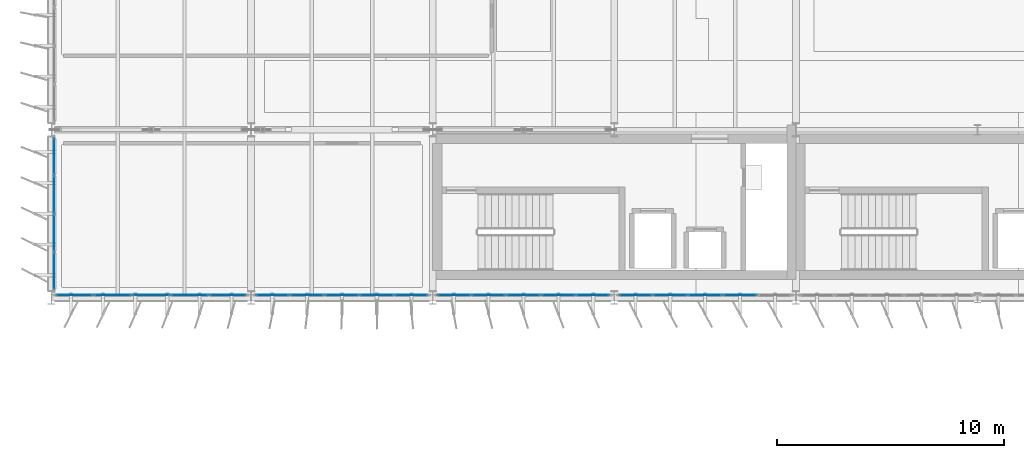
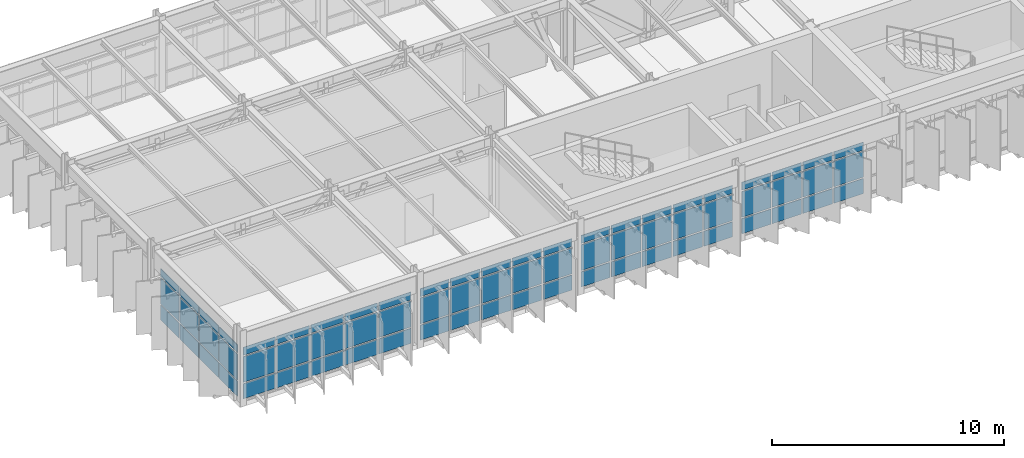
# One storey, part 27 of 56: 69 plates, 5 elements without a shape of their own.
"""IFC4 building model written with IfcOpenShell, lengths in metres."""

from ifc_helpers import new_model, si_unit, direction, frame, origin, origin_2d, place, context, subcontext, project, spatial, rectangle, extrude, material, layer, layer_set, type_object, element, aggregate, save


model = new_model("IFC4")

# Units and contexts
model_context = context("Model", 3, precision=1e-05, world=origin(), true_north=direction((0.0, 1.0)))
body_context = subcontext(model_context, "Body", "Model", "MODEL_VIEW")
ifc_project = project(units=[si_unit("LENGTHUNIT", "METRE"), si_unit("AREAUNIT", "SQUARE_METRE"), si_unit("VOLUMEUNIT", "CUBIC_METRE"), si_unit("PLANEANGLEUNIT", "RADIAN"), si_unit("MASSUNIT", "GRAM", prefix="KILO")], contexts=[model_context])

# Site, building, storey
site_placement = place(None, origin())
site = spatial("IfcSite", under=ifc_project, at=site_placement, CompositionType="ELEMENT")
building_placement = place(site_placement, origin())
building = spatial("IfcBuilding", under=site, at=building_placement, Name="Valkorina Park Police Headquarters", CompositionType="ELEMENT")
storey_placement = place(building_placement, frame((0.0, 0.0, 14.10009765625)))
storey = spatial("IfcBuildingStorey", under=building, at=storey_placement, Name="L04", CompositionType="ELEMENT", Elevation=14.10009765625)

# Curtain wall, plates
ifc_material_1 = material(Name="Thermally broken aluminium AW-6060", Category="aluminium")
ifc_layer_1 = layer(ifc_material_1, 0.18994140625)
ifc_layer_set_1 = layer_set([ifc_layer_1], Name="Thermally broken aluminium AW-6060")
curtain_wall_type_1 = type_object("IfcCurtainWallType", Name="CW-V5-7680x2840", PredefinedType="NOTDEFINED", material=ifc_layer_set_1)
curtain_wall_1_placement = place(storey_placement, origin())
curtain_wall_1 = element("IfcCurtainWall", 1, at=curtain_wall_1_placement, inside=storey, type_object=curtain_wall_type_1, Name="L04 Unitised Curtain Wall 054", PredefinedType="NOTDEFINED")
ifc_layer_2 = layer(ifc_material_1, 0.050048828125)
ifc_layer_set_2 = layer_set([ifc_layer_2], Name="Thermally broken aluminium AW-6060")
plate_type_1 = type_object("IfcPlateType", Name="PL-CWP-SPANDREL-50", PredefinedType="CURTAIN_PANEL", material=ifc_layer_set_2)
plate_1_placement = place(storey_placement, frame((30.3359375, 37.1201171875, 0.06982421875), z_axis=(0.0, 0.0, 1.0), x_axis=(-1.0, 0.0, 0.0)))
plate_1 = element("IfcPlate", 2, at=plate_1_placement, type_object=plate_type_1, Name="CW-V5-768-284 panel 2.1", PredefinedType="CURTAIN_PANEL", context=body_context, shape_type="SweptSolid", body=[
    extrude(rectangle(XDim=1.466064453125, YDim=0.028076171875, at=origin_2d()), origin(), (0.0, 0.0, 1.0), 0.794921875),
])
plate_2_placement = place(storey_placement, frame((28.800048828125, 37.1201171875, 0.06982421875), z_axis=(0.0, 0.0, 1.0), x_axis=(-1.0, 0.0, 0.0)))
plate_2 = element("IfcPlate", 3, at=plate_2_placement, type_object=plate_type_1, Name="CW-V5-768-284 panel 3.1", PredefinedType="CURTAIN_PANEL", context=body_context, shape_type="SweptSolid", body=[
    extrude(rectangle(XDim=1.466064453125, YDim=0.028076171875, at=origin_2d()), origin(), (0.0, 0.0, 1.0), 0.794921875),
])
plate_3_placement = place(storey_placement, frame((27.263916015625, 37.1201171875, 0.06982421875), z_axis=(0.0, 0.0, 1.0), x_axis=(-1.0, 0.0, 0.0)))
plate_3 = element("IfcPlate", 4, at=plate_3_placement, type_object=plate_type_1, Name="CW-V5-768-284 panel 4.1", PredefinedType="CURTAIN_PANEL", context=body_context, shape_type="SweptSolid", body=[
    extrude(rectangle(XDim=1.466064453125, YDim=0.028076171875, at=origin_2d()), origin(), (0.0, 0.0, 1.0), 0.794921875),
])
plate_4_placement = place(storey_placement, frame((25.74560546875, 37.1201171875, 0.06982421875), z_axis=(0.0, 0.0, 1.0), x_axis=(-1.0, 0.0, 0.0)))
plate_4 = element("IfcPlate", 5, at=plate_4_placement, type_object=plate_type_1, Name="CW-V5-768-284 panel 5.1", PredefinedType="CURTAIN_PANEL", context=body_context, shape_type="SweptSolid", body=[
    extrude(rectangle(XDim=1.430908203125, YDim=0.028076171875, at=origin_2d()), origin(), (0.0, 0.0, 1.0), 0.794921875),
])

curtain_wall_2_placement = place(storey_placement, origin())
curtain_wall_2 = element("IfcCurtainWall", 6, at=curtain_wall_2_placement, inside=storey, type_object=curtain_wall_type_1, Name="L04 Unitised Curtain Wall 055", PredefinedType="NOTDEFINED")
plate_5_placement = place(storey_placement, frame((23.8544921875, 37.1201171875, 0.06982421875), z_axis=(0.0, 0.0, 1.0), x_axis=(-1.0, 0.0, 0.0)))
plate_5 = element("IfcPlate", 7, at=plate_5_placement, type_object=plate_type_1, Name="CW-V5-768-284 panel 1.1", PredefinedType="CURTAIN_PANEL", context=body_context, shape_type="SweptSolid", body=[
    extrude(rectangle(XDim=1.430908203125, YDim=0.028076171875, at=origin_2d()), origin(), (0.0, 0.0, 1.0), 0.794921875),
])
plate_6_placement = place(storey_placement, frame((22.3359375, 37.1201171875, 0.06982421875), z_axis=(0.0, 0.0, 1.0), x_axis=(-1.0, 0.0, 0.0)))
plate_6 = element("IfcPlate", 8, at=plate_6_placement, type_object=plate_type_1, Name="CW-V5-768-284 panel 2.1", PredefinedType="CURTAIN_PANEL", context=body_context, shape_type="SweptSolid", body=[
    extrude(rectangle(XDim=1.466064453125, YDim=0.028076171875, at=origin_2d()), origin(), (0.0, 0.0, 1.0), 0.794921875),
])
plate_7_placement = place(storey_placement, frame((20.800048828125, 37.1201171875, 0.06982421875), z_axis=(0.0, 0.0, 1.0), x_axis=(-1.0, 0.0, 0.0)))
plate_7 = element("IfcPlate", 9, at=plate_7_placement, type_object=plate_type_1, Name="CW-V5-768-284 panel 3.1", PredefinedType="CURTAIN_PANEL", context=body_context, shape_type="SweptSolid", body=[
    extrude(rectangle(XDim=1.466064453125, YDim=0.028076171875, at=origin_2d()), origin(), (0.0, 0.0, 1.0), 0.794921875),
])
plate_8_placement = place(storey_placement, frame((19.263916015625, 37.1201171875, 0.06982421875), z_axis=(0.0, 0.0, 1.0), x_axis=(-1.0, 0.0, 0.0)))
plate_8 = element("IfcPlate", 10, at=plate_8_placement, type_object=plate_type_1, Name="CW-V5-768-284 panel 4.1", PredefinedType="CURTAIN_PANEL", context=body_context, shape_type="SweptSolid", body=[
    extrude(rectangle(XDim=1.466064453125, YDim=0.028076171875, at=origin_2d()), origin(), (0.0, 0.0, 1.0), 0.794921875),
])
plate_9_placement = place(storey_placement, frame((17.74560546875, 37.1201171875, 0.06982421875), z_axis=(0.0, 0.0, 1.0), x_axis=(-1.0, 0.0, 0.0)))
plate_9 = element("IfcPlate", 11, at=plate_9_placement, type_object=plate_type_1, Name="CW-V5-768-284 panel 5.1", PredefinedType="CURTAIN_PANEL", context=body_context, shape_type="SweptSolid", body=[
    extrude(rectangle(XDim=1.430908203125, YDim=0.028076171875, at=origin_2d()), origin(), (0.0, 0.0, 1.0), 0.794921875),
])

curtain_wall_3_placement = place(storey_placement, origin())
curtain_wall_3 = element("IfcCurtainWall", 12, at=curtain_wall_3_placement, inside=storey, type_object=curtain_wall_type_1, Name="L04 Unitised Curtain Wall 056", PredefinedType="NOTDEFINED")
plate_10_placement = place(storey_placement, frame((15.8544921875, 37.1201171875, 0.06982421875), z_axis=(0.0, 0.0, 1.0), x_axis=(-1.0, 0.0, 0.0)))
plate_10 = element("IfcPlate", 13, at=plate_10_placement, type_object=plate_type_1, Name="CW-V5-768-284 panel 1.1", PredefinedType="CURTAIN_PANEL", context=body_context, shape_type="SweptSolid", body=[
    extrude(rectangle(XDim=1.430908203125, YDim=0.028076171875, at=origin_2d()), origin(), (0.0, 0.0, 1.0), 0.794921875),
])
plate_11_placement = place(storey_placement, frame((14.3359375, 37.1201171875, 0.06982421875), z_axis=(0.0, 0.0, 1.0), x_axis=(-1.0, 0.0, 0.0)))
plate_11 = element("IfcPlate", 14, at=plate_11_placement, type_object=plate_type_1, Name="CW-V5-768-284 panel 2.1", PredefinedType="CURTAIN_PANEL", context=body_context, shape_type="SweptSolid", body=[
    extrude(rectangle(XDim=1.466064453125, YDim=0.028076171875, at=origin_2d()), origin(), (0.0, 0.0, 1.0), 0.794921875),
])
plate_12_placement = place(storey_placement, frame((12.800048828125, 37.1201171875, 0.06982421875), z_axis=(0.0, 0.0, 1.0), x_axis=(-1.0, 0.0, 0.0)))
plate_12 = element("IfcPlate", 15, at=plate_12_placement, type_object=plate_type_1, Name="CW-V5-768-284 panel 3.1", PredefinedType="CURTAIN_PANEL", context=body_context, shape_type="SweptSolid", body=[
    extrude(rectangle(XDim=1.466064453125, YDim=0.028076171875, at=origin_2d()), origin(), (0.0, 0.0, 1.0), 0.794921875),
])
plate_13_placement = place(storey_placement, frame((11.263916015625, 37.1201171875, 0.06982421875), z_axis=(0.0, 0.0, 1.0), x_axis=(-1.0, 0.0, 0.0)))
plate_13 = element("IfcPlate", 16, at=plate_13_placement, type_object=plate_type_1, Name="CW-V5-768-284 panel 4.1", PredefinedType="CURTAIN_PANEL", context=body_context, shape_type="SweptSolid", body=[
    extrude(rectangle(XDim=1.466064453125, YDim=0.028076171875, at=origin_2d()), origin(), (0.0, 0.0, 1.0), 0.794921875),
])
plate_14_placement = place(storey_placement, frame((9.74560546875, 37.1201171875, 0.06982421875), z_axis=(0.0, 0.0, 1.0), x_axis=(-1.0, 0.0, 0.0)))
plate_14 = element("IfcPlate", 17, at=plate_14_placement, type_object=plate_type_1, Name="CW-V5-768-284 panel 5.1", PredefinedType="CURTAIN_PANEL", context=body_context, shape_type="SweptSolid", body=[
    extrude(rectangle(XDim=1.430908203125, YDim=0.028076171875, at=origin_2d()), origin(), (0.0, 0.0, 1.0), 0.794921875),
])

ifc_layer_3 = layer(ifc_material_1, 0.18994140625)
ifc_layer_set_3 = layer_set([ifc_layer_3], Name="Thermally broken aluminium AW-6060")
curtain_wall_type_2 = type_object("IfcCurtainWallType", Name="CW-V5-8480x2840", PredefinedType="NOTDEFINED", material=ifc_layer_set_3)
curtain_wall_4_placement = place(storey_placement, origin())
curtain_wall_4 = element("IfcCurtainWall", 18, at=curtain_wall_4_placement, inside=storey, type_object=curtain_wall_type_2, Name="L04 Unitised Curtain Wall 057", PredefinedType="NOTDEFINED")
plate_15_placement = place(storey_placement, frame((7.7744140625, 37.1201171875, 0.06982421875), z_axis=(0.0, 0.0, 1.0), x_axis=(-1.0, 0.0, 0.0)))
plate_15 = element("IfcPlate", 19, at=plate_15_placement, type_object=plate_type_1, Name="CW-V5-848-284 panel 1.1", PredefinedType="CURTAIN_PANEL", context=body_context, shape_type="SweptSolid", body=[
    extrude(rectangle(XDim=1.591064453125, YDim=0.028076171875, at=origin_2d()), origin(), (0.0, 0.0, 1.0), 0.794921875),
])
plate_16_placement = place(storey_placement, frame((6.095947265625, 37.1201171875, 0.06982421875), z_axis=(0.0, 0.0, 1.0), x_axis=(-1.0, 0.0, 0.0)))
plate_16 = element("IfcPlate", 20, at=plate_16_placement, type_object=plate_type_1, Name="CW-V5-848-284 panel 2.1", PredefinedType="CURTAIN_PANEL", context=body_context, shape_type="SweptSolid", body=[
    extrude(rectangle(XDim=1.6259765625, YDim=0.028076171875, at=origin_2d()), origin(), (0.0, 0.0, 1.0), 0.794921875),
])
plate_17_placement = place(storey_placement, frame((4.39990234375, 37.1201171875, 0.06982421875), z_axis=(0.0, 0.0, 1.0), x_axis=(-1.0, 0.0, 0.0)))
plate_17 = element("IfcPlate", 21, at=plate_17_placement, type_object=plate_type_1, Name="CW-V5-848-284 panel 3.1", PredefinedType="CURTAIN_PANEL", context=body_context, shape_type="SweptSolid", body=[
    extrude(rectangle(XDim=1.6259765625, YDim=0.028076171875, at=origin_2d()), origin(), (0.0, 0.0, 1.0), 0.794921875),
])
plate_18_placement = place(storey_placement, frame((2.7041015625, 37.1201171875, 0.06982421875), z_axis=(0.0, 0.0, 1.0), x_axis=(-1.0, 0.0, 0.0)))
plate_18 = element("IfcPlate", 22, at=plate_18_placement, type_object=plate_type_1, Name="CW-V5-848-284 panel 4.1", PredefinedType="CURTAIN_PANEL", context=body_context, shape_type="SweptSolid", body=[
    extrude(rectangle(XDim=1.6259765625, YDim=0.028076171875, at=origin_2d()), origin(), (0.0, 0.0, 1.0), 0.794921875),
])
plate_19_placement = place(storey_placement, frame((1.025390625, 37.1201171875, 0.06982421875), z_axis=(0.0, 0.0, 1.0), x_axis=(-1.0, 0.0, 0.0)))
plate_19 = element("IfcPlate", 23, at=plate_19_placement, type_object=plate_type_1, Name="CW-V5-848-284 panel 5.1", PredefinedType="CURTAIN_PANEL", context=body_context, shape_type="SweptSolid", body=[
    extrude(rectangle(XDim=1.591064453125, YDim=0.028076171875, at=origin_2d()), origin(), (0.0, 0.0, 1.0), 0.794921875),
])

ifc_layer_4 = layer(ifc_material_1, 0.18994140625)
ifc_layer_set_4 = layer_set([ifc_layer_4], Name="Thermally broken aluminium AW-6060")
curtain_wall_type_3 = type_object("IfcCurtainWallType", Name="CW-V5-6780x2840", PredefinedType="NOTDEFINED", material=ifc_layer_set_4)
curtain_wall_5_placement = place(storey_placement, origin())
curtain_wall_5 = element("IfcCurtainWall", 24, at=curtain_wall_5_placement, inside=storey, type_object=curtain_wall_type_3, Name="L04 Unitised Curtain Wall 058", PredefinedType="NOTDEFINED")
plate_20_placement = place(storey_placement, frame((0.1201171875, 38.175048828125, 0.06982421875), z_axis=(0.0, 0.0, 1.0), x_axis=(0.0, 1.0, 0.0)))
plate_20 = element("IfcPlate", 25, at=plate_20_placement, type_object=plate_type_1, Name="CW-V5-678-284 panel 1.1", PredefinedType="CURTAIN_PANEL", context=body_context, shape_type="SweptSolid", body=[
    extrude(rectangle(XDim=1.590087890625, YDim=0.028076171875, at=origin_2d()), origin(), (0.0, 0.0, 1.0), 0.794921875),
])
plate_21_placement = place(storey_placement, frame((0.1201171875, 39.8525390625, 0.06982421875), z_axis=(0.0, 0.0, 1.0), x_axis=(0.0, 1.0, 0.0)))
plate_21 = element("IfcPlate", 26, at=plate_21_placement, type_object=plate_type_1, Name="CW-V5-678-284 panel 2.1", PredefinedType="CURTAIN_PANEL", context=body_context, shape_type="SweptSolid", body=[
    extrude(rectangle(XDim=1.625, YDim=0.028076171875, at=origin_2d()), origin(), (0.0, 0.0, 1.0), 0.794921875),
])
plate_22_placement = place(storey_placement, frame((0.1201171875, 41.547607421875, 0.06982421875), z_axis=(0.0, 0.0, 1.0), x_axis=(0.0, 1.0, 0.0)))
plate_22 = element("IfcPlate", 27, at=plate_22_placement, type_object=plate_type_1, Name="CW-V5-678-284 panel 3.1", PredefinedType="CURTAIN_PANEL", context=body_context, shape_type="SweptSolid", body=[
    extrude(rectangle(XDim=1.625, YDim=0.028076171875, at=origin_2d()), origin(), (0.0, 0.0, 1.0), 0.794921875),
])
plate_23_placement = place(storey_placement, frame((0.1201171875, 43.22509765625, 0.06982421875), z_axis=(0.0, 0.0, 1.0), x_axis=(0.0, 1.0, 0.0)))
plate_23 = element("IfcPlate", 28, at=plate_23_placement, type_object=plate_type_1, Name="CW-V5-678-284 panel 4.1", PredefinedType="CURTAIN_PANEL", context=body_context, shape_type="SweptSolid", body=[
    extrude(rectangle(XDim=1.590087890625, YDim=0.028076171875, at=origin_2d()), origin(), (0.0, 0.0, 1.0), 0.794921875),
])

# Plate
ifc_material_2 = material(Name="Triple low-E insulated glazing", Category="glass")
ifc_layer_5 = layer(ifc_material_2, 0.028076171875)
ifc_layer_set_5 = layer_set([ifc_layer_5], Name="Triple low-E insulated glazing")
plate_type_2 = type_object("IfcPlateType", Name="PL-CWP-VISION-28", PredefinedType="CURTAIN_PANEL", material=ifc_layer_set_5)
plate_24_placement = place(storey_placement, frame((30.3359375, 37.1201171875, 0.934814453125), z_axis=(0.0, 0.0, 1.0), x_axis=(-1.0, 0.0, 0.0)))
plate_24 = element("IfcPlate", 29, at=plate_24_placement, type_object=plate_type_2, Name="CW-V5-768-284 panel 2.2", PredefinedType="CURTAIN_PANEL", context=body_context, shape_type="SweptSolid", body=[
    extrude(rectangle(XDim=1.466064453125, YDim=0.028076171875, at=origin_2d()), origin(), (0.0, 0.0, 1.0), 1.35498046875),
])

plate_25_placement = place(storey_placement, frame((30.3359375, 37.1201171875, 2.35986328125), z_axis=(0.0, 0.0, 1.0), x_axis=(-1.0, 0.0, 0.0)))
plate_25 = element("IfcPlate", 30, at=plate_25_placement, type_object=plate_type_2, Name="CW-V5-768-284 panel 2.3", PredefinedType="CURTAIN_PANEL", context=body_context, shape_type="SweptSolid", body=[
    extrude(rectangle(XDim=1.466064453125, YDim=0.028076171875, at=origin_2d()), origin(), (0.0, 0.0, 1.0), 0.4150390625),
])

plate_26_placement = place(storey_placement, frame((28.800048828125, 37.1201171875, 0.934814453125), z_axis=(0.0, 0.0, 1.0), x_axis=(-1.0, 0.0, 0.0)))
plate_26 = element("IfcPlate", 31, at=plate_26_placement, type_object=plate_type_2, Name="CW-V5-768-284 panel 3.2", PredefinedType="CURTAIN_PANEL", context=body_context, shape_type="SweptSolid", body=[
    extrude(rectangle(XDim=1.466064453125, YDim=0.028076171875, at=origin_2d()), origin(), (0.0, 0.0, 1.0), 1.35498046875),
])

plate_27_placement = place(storey_placement, frame((28.800048828125, 37.1201171875, 2.35986328125), z_axis=(0.0, 0.0, 1.0), x_axis=(-1.0, 0.0, 0.0)))
plate_27 = element("IfcPlate", 32, at=plate_27_placement, type_object=plate_type_2, Name="CW-V5-768-284 panel 3.3", PredefinedType="CURTAIN_PANEL", context=body_context, shape_type="SweptSolid", body=[
    extrude(rectangle(XDim=1.466064453125, YDim=0.028076171875, at=origin_2d()), origin(), (0.0, 0.0, 1.0), 0.4150390625),
])

plate_28_placement = place(storey_placement, frame((27.263916015625, 37.1201171875, 0.934814453125), z_axis=(0.0, 0.0, 1.0), x_axis=(-1.0, 0.0, 0.0)))
plate_28 = element("IfcPlate", 33, at=plate_28_placement, type_object=plate_type_2, Name="CW-V5-768-284 panel 4.2", PredefinedType="CURTAIN_PANEL", context=body_context, shape_type="SweptSolid", body=[
    extrude(rectangle(XDim=1.466064453125, YDim=0.028076171875, at=origin_2d()), origin(), (0.0, 0.0, 1.0), 1.35498046875),
])

plate_29_placement = place(storey_placement, frame((27.263916015625, 37.1201171875, 2.35986328125), z_axis=(0.0, 0.0, 1.0), x_axis=(-1.0, 0.0, 0.0)))
plate_29 = element("IfcPlate", 34, at=plate_29_placement, type_object=plate_type_2, Name="CW-V5-768-284 panel 4.3", PredefinedType="CURTAIN_PANEL", context=body_context, shape_type="SweptSolid", body=[
    extrude(rectangle(XDim=1.466064453125, YDim=0.028076171875, at=origin_2d()), origin(), (0.0, 0.0, 1.0), 0.4150390625),
])

plate_30_placement = place(storey_placement, frame((25.74560546875, 37.1201171875, 0.934814453125), z_axis=(0.0, 0.0, 1.0), x_axis=(-1.0, 0.0, 0.0)))
plate_30 = element("IfcPlate", 35, at=plate_30_placement, type_object=plate_type_2, Name="CW-V5-768-284 panel 5.2", PredefinedType="CURTAIN_PANEL", context=body_context, shape_type="SweptSolid", body=[
    extrude(rectangle(XDim=1.430908203125, YDim=0.028076171875, at=origin_2d()), origin(), (0.0, 0.0, 1.0), 1.35498046875),
])

plate_31_placement = place(storey_placement, frame((25.74560546875, 37.1201171875, 2.35986328125), z_axis=(0.0, 0.0, 1.0), x_axis=(-1.0, 0.0, 0.0)))
plate_31 = element("IfcPlate", 36, at=plate_31_placement, type_object=plate_type_2, Name="CW-V5-768-284 panel 5.3", PredefinedType="CURTAIN_PANEL", context=body_context, shape_type="SweptSolid", body=[
    extrude(rectangle(XDim=1.430908203125, YDim=0.028076171875, at=origin_2d()), origin(), (0.0, 0.0, 1.0), 0.4150390625),
])

aggregate(curtain_wall_1, [plate_1, plate_24, plate_25, plate_2, plate_26, plate_27, plate_3, plate_28, plate_29, plate_4, plate_30, plate_31])

plate_32_placement = place(storey_placement, frame((23.8544921875, 37.1201171875, 0.934814453125), z_axis=(0.0, 0.0, 1.0), x_axis=(-1.0, 0.0, 0.0)))
plate_32 = element("IfcPlate", 37, at=plate_32_placement, type_object=plate_type_2, Name="CW-V5-768-284 panel 1.2", PredefinedType="CURTAIN_PANEL", context=body_context, shape_type="SweptSolid", body=[
    extrude(rectangle(XDim=1.430908203125, YDim=0.028076171875, at=origin_2d()), origin(), (0.0, 0.0, 1.0), 1.35498046875),
])

plate_33_placement = place(storey_placement, frame((23.8544921875, 37.1201171875, 2.35986328125), z_axis=(0.0, 0.0, 1.0), x_axis=(-1.0, 0.0, 0.0)))
plate_33 = element("IfcPlate", 38, at=plate_33_placement, type_object=plate_type_2, Name="CW-V5-768-284 panel 1.3", PredefinedType="CURTAIN_PANEL", context=body_context, shape_type="SweptSolid", body=[
    extrude(rectangle(XDim=1.430908203125, YDim=0.028076171875, at=origin_2d()), origin(), (0.0, 0.0, 1.0), 0.4150390625),
])

plate_34_placement = place(storey_placement, frame((22.3359375, 37.1201171875, 0.934814453125), z_axis=(0.0, 0.0, 1.0), x_axis=(-1.0, 0.0, 0.0)))
plate_34 = element("IfcPlate", 39, at=plate_34_placement, type_object=plate_type_2, Name="CW-V5-768-284 panel 2.2", PredefinedType="CURTAIN_PANEL", context=body_context, shape_type="SweptSolid", body=[
    extrude(rectangle(XDim=1.466064453125, YDim=0.028076171875, at=origin_2d()), origin(), (0.0, 0.0, 1.0), 1.35498046875),
])

plate_35_placement = place(storey_placement, frame((22.3359375, 37.1201171875, 2.35986328125), z_axis=(0.0, 0.0, 1.0), x_axis=(-1.0, 0.0, 0.0)))
plate_35 = element("IfcPlate", 40, at=plate_35_placement, type_object=plate_type_2, Name="CW-V5-768-284 panel 2.3", PredefinedType="CURTAIN_PANEL", context=body_context, shape_type="SweptSolid", body=[
    extrude(rectangle(XDim=1.466064453125, YDim=0.028076171875, at=origin_2d()), origin(), (0.0, 0.0, 1.0), 0.4150390625),
])

plate_36_placement = place(storey_placement, frame((20.800048828125, 37.1201171875, 0.934814453125), z_axis=(0.0, 0.0, 1.0), x_axis=(-1.0, 0.0, 0.0)))
plate_36 = element("IfcPlate", 41, at=plate_36_placement, type_object=plate_type_2, Name="CW-V5-768-284 panel 3.2", PredefinedType="CURTAIN_PANEL", context=body_context, shape_type="SweptSolid", body=[
    extrude(rectangle(XDim=1.466064453125, YDim=0.028076171875, at=origin_2d()), origin(), (0.0, 0.0, 1.0), 1.35498046875),
])

plate_37_placement = place(storey_placement, frame((20.800048828125, 37.1201171875, 2.35986328125), z_axis=(0.0, 0.0, 1.0), x_axis=(-1.0, 0.0, 0.0)))
plate_37 = element("IfcPlate", 42, at=plate_37_placement, type_object=plate_type_2, Name="CW-V5-768-284 panel 3.3", PredefinedType="CURTAIN_PANEL", context=body_context, shape_type="SweptSolid", body=[
    extrude(rectangle(XDim=1.466064453125, YDim=0.028076171875, at=origin_2d()), origin(), (0.0, 0.0, 1.0), 0.4150390625),
])

plate_38_placement = place(storey_placement, frame((19.263916015625, 37.1201171875, 0.934814453125), z_axis=(0.0, 0.0, 1.0), x_axis=(-1.0, 0.0, 0.0)))
plate_38 = element("IfcPlate", 43, at=plate_38_placement, type_object=plate_type_2, Name="CW-V5-768-284 panel 4.2", PredefinedType="CURTAIN_PANEL", context=body_context, shape_type="SweptSolid", body=[
    extrude(rectangle(XDim=1.466064453125, YDim=0.028076171875, at=origin_2d()), origin(), (0.0, 0.0, 1.0), 1.35498046875),
])

plate_39_placement = place(storey_placement, frame((19.263916015625, 37.1201171875, 2.35986328125), z_axis=(0.0, 0.0, 1.0), x_axis=(-1.0, 0.0, 0.0)))
plate_39 = element("IfcPlate", 44, at=plate_39_placement, type_object=plate_type_2, Name="CW-V5-768-284 panel 4.3", PredefinedType="CURTAIN_PANEL", context=body_context, shape_type="SweptSolid", body=[
    extrude(rectangle(XDim=1.466064453125, YDim=0.028076171875, at=origin_2d()), origin(), (0.0, 0.0, 1.0), 0.4150390625),
])

plate_40_placement = place(storey_placement, frame((17.74560546875, 37.1201171875, 0.934814453125), z_axis=(0.0, 0.0, 1.0), x_axis=(-1.0, 0.0, 0.0)))
plate_40 = element("IfcPlate", 45, at=plate_40_placement, type_object=plate_type_2, Name="CW-V5-768-284 panel 5.2", PredefinedType="CURTAIN_PANEL", context=body_context, shape_type="SweptSolid", body=[
    extrude(rectangle(XDim=1.430908203125, YDim=0.028076171875, at=origin_2d()), origin(), (0.0, 0.0, 1.0), 1.35498046875),
])

plate_41_placement = place(storey_placement, frame((17.74560546875, 37.1201171875, 2.35986328125), z_axis=(0.0, 0.0, 1.0), x_axis=(-1.0, 0.0, 0.0)))
plate_41 = element("IfcPlate", 46, at=plate_41_placement, type_object=plate_type_2, Name="CW-V5-768-284 panel 5.3", PredefinedType="CURTAIN_PANEL", context=body_context, shape_type="SweptSolid", body=[
    extrude(rectangle(XDim=1.430908203125, YDim=0.028076171875, at=origin_2d()), origin(), (0.0, 0.0, 1.0), 0.4150390625),
])

aggregate(curtain_wall_2, [plate_5, plate_32, plate_33, plate_6, plate_34, plate_35, plate_7, plate_36, plate_37, plate_8, plate_38, plate_39, plate_9, plate_40, plate_41])

plate_42_placement = place(storey_placement, frame((15.8544921875, 37.1201171875, 0.934814453125), z_axis=(0.0, 0.0, 1.0), x_axis=(-1.0, 0.0, 0.0)))
plate_42 = element("IfcPlate", 47, at=plate_42_placement, type_object=plate_type_2, Name="CW-V5-768-284 panel 1.2", PredefinedType="CURTAIN_PANEL", context=body_context, shape_type="SweptSolid", body=[
    extrude(rectangle(XDim=1.430908203125, YDim=0.028076171875, at=origin_2d()), origin(), (0.0, 0.0, 1.0), 1.35498046875),
])

plate_43_placement = place(storey_placement, frame((15.8544921875, 37.1201171875, 2.35986328125), z_axis=(0.0, 0.0, 1.0), x_axis=(-1.0, 0.0, 0.0)))
plate_43 = element("IfcPlate", 48, at=plate_43_placement, type_object=plate_type_2, Name="CW-V5-768-284 panel 1.3", PredefinedType="CURTAIN_PANEL", context=body_context, shape_type="SweptSolid", body=[
    extrude(rectangle(XDim=1.430908203125, YDim=0.028076171875, at=origin_2d()), origin(), (0.0, 0.0, 1.0), 0.4150390625),
])

plate_44_placement = place(storey_placement, frame((14.3359375, 37.1201171875, 0.934814453125), z_axis=(0.0, 0.0, 1.0), x_axis=(-1.0, 0.0, 0.0)))
plate_44 = element("IfcPlate", 49, at=plate_44_placement, type_object=plate_type_2, Name="CW-V5-768-284 panel 2.2", PredefinedType="CURTAIN_PANEL", context=body_context, shape_type="SweptSolid", body=[
    extrude(rectangle(XDim=1.466064453125, YDim=0.028076171875, at=origin_2d()), origin(), (0.0, 0.0, 1.0), 1.35498046875),
])

plate_45_placement = place(storey_placement, frame((14.3359375, 37.1201171875, 2.35986328125), z_axis=(0.0, 0.0, 1.0), x_axis=(-1.0, 0.0, 0.0)))
plate_45 = element("IfcPlate", 50, at=plate_45_placement, type_object=plate_type_2, Name="CW-V5-768-284 panel 2.3", PredefinedType="CURTAIN_PANEL", context=body_context, shape_type="SweptSolid", body=[
    extrude(rectangle(XDim=1.466064453125, YDim=0.028076171875, at=origin_2d()), origin(), (0.0, 0.0, 1.0), 0.4150390625),
])

plate_46_placement = place(storey_placement, frame((12.800048828125, 37.1201171875, 0.934814453125), z_axis=(0.0, 0.0, 1.0), x_axis=(-1.0, 0.0, 0.0)))
plate_46 = element("IfcPlate", 51, at=plate_46_placement, type_object=plate_type_2, Name="CW-V5-768-284 panel 3.2", PredefinedType="CURTAIN_PANEL", context=body_context, shape_type="SweptSolid", body=[
    extrude(rectangle(XDim=1.466064453125, YDim=0.028076171875, at=origin_2d()), origin(), (0.0, 0.0, 1.0), 1.35498046875),
])

plate_47_placement = place(storey_placement, frame((12.800048828125, 37.1201171875, 2.35986328125), z_axis=(0.0, 0.0, 1.0), x_axis=(-1.0, 0.0, 0.0)))
plate_47 = element("IfcPlate", 52, at=plate_47_placement, type_object=plate_type_2, Name="CW-V5-768-284 panel 3.3", PredefinedType="CURTAIN_PANEL", context=body_context, shape_type="SweptSolid", body=[
    extrude(rectangle(XDim=1.466064453125, YDim=0.028076171875, at=origin_2d()), origin(), (0.0, 0.0, 1.0), 0.4150390625),
])

plate_48_placement = place(storey_placement, frame((11.263916015625, 37.1201171875, 0.934814453125), z_axis=(0.0, 0.0, 1.0), x_axis=(-1.0, 0.0, 0.0)))
plate_48 = element("IfcPlate", 53, at=plate_48_placement, type_object=plate_type_2, Name="CW-V5-768-284 panel 4.2", PredefinedType="CURTAIN_PANEL", context=body_context, shape_type="SweptSolid", body=[
    extrude(rectangle(XDim=1.466064453125, YDim=0.028076171875, at=origin_2d()), origin(), (0.0, 0.0, 1.0), 1.35498046875),
])

plate_49_placement = place(storey_placement, frame((11.263916015625, 37.1201171875, 2.35986328125), z_axis=(0.0, 0.0, 1.0), x_axis=(-1.0, 0.0, 0.0)))
plate_49 = element("IfcPlate", 54, at=plate_49_placement, type_object=plate_type_2, Name="CW-V5-768-284 panel 4.3", PredefinedType="CURTAIN_PANEL", context=body_context, shape_type="SweptSolid", body=[
    extrude(rectangle(XDim=1.466064453125, YDim=0.028076171875, at=origin_2d()), origin(), (0.0, 0.0, 1.0), 0.4150390625),
])

plate_50_placement = place(storey_placement, frame((9.74560546875, 37.1201171875, 0.934814453125), z_axis=(0.0, 0.0, 1.0), x_axis=(-1.0, 0.0, 0.0)))
plate_50 = element("IfcPlate", 55, at=plate_50_placement, type_object=plate_type_2, Name="CW-V5-768-284 panel 5.2", PredefinedType="CURTAIN_PANEL", context=body_context, shape_type="SweptSolid", body=[
    extrude(rectangle(XDim=1.430908203125, YDim=0.028076171875, at=origin_2d()), origin(), (0.0, 0.0, 1.0), 1.35498046875),
])

plate_51_placement = place(storey_placement, frame((9.74560546875, 37.1201171875, 2.35986328125), z_axis=(0.0, 0.0, 1.0), x_axis=(-1.0, 0.0, 0.0)))
plate_51 = element("IfcPlate", 56, at=plate_51_placement, type_object=plate_type_2, Name="CW-V5-768-284 panel 5.3", PredefinedType="CURTAIN_PANEL", context=body_context, shape_type="SweptSolid", body=[
    extrude(rectangle(XDim=1.430908203125, YDim=0.028076171875, at=origin_2d()), origin(), (0.0, 0.0, 1.0), 0.4150390625),
])

aggregate(curtain_wall_3, [plate_10, plate_42, plate_43, plate_11, plate_44, plate_45, plate_12, plate_46, plate_47, plate_13, plate_48, plate_49, plate_14, plate_50, plate_51])

plate_52_placement = place(storey_placement, frame((7.7744140625, 37.1201171875, 0.934814453125), z_axis=(0.0, 0.0, 1.0), x_axis=(-1.0, 0.0, 0.0)))
plate_52 = element("IfcPlate", 57, at=plate_52_placement, type_object=plate_type_2, Name="CW-V5-848-284 panel 1.2", PredefinedType="CURTAIN_PANEL", context=body_context, shape_type="SweptSolid", body=[
    extrude(rectangle(XDim=1.591064453125, YDim=0.028076171875, at=origin_2d()), origin(), (0.0, 0.0, 1.0), 1.35498046875),
])

plate_53_placement = place(storey_placement, frame((7.7744140625, 37.1201171875, 2.35986328125), z_axis=(0.0, 0.0, 1.0), x_axis=(-1.0, 0.0, 0.0)))
plate_53 = element("IfcPlate", 58, at=plate_53_placement, type_object=plate_type_2, Name="CW-V5-848-284 panel 1.3", PredefinedType="CURTAIN_PANEL", context=body_context, shape_type="SweptSolid", body=[
    extrude(rectangle(XDim=1.591064453125, YDim=0.028076171875, at=origin_2d()), origin(), (0.0, 0.0, 1.0), 0.4150390625),
])

plate_54_placement = place(storey_placement, frame((6.095947265625, 37.1201171875, 0.934814453125), z_axis=(0.0, 0.0, 1.0), x_axis=(-1.0, 0.0, 0.0)))
plate_54 = element("IfcPlate", 59, at=plate_54_placement, type_object=plate_type_2, Name="CW-V5-848-284 panel 2.2", PredefinedType="CURTAIN_PANEL", context=body_context, shape_type="SweptSolid", body=[
    extrude(rectangle(XDim=1.6259765625, YDim=0.028076171875, at=origin_2d()), origin(), (0.0, 0.0, 1.0), 1.35498046875),
])

plate_55_placement = place(storey_placement, frame((6.095947265625, 37.1201171875, 2.35986328125), z_axis=(0.0, 0.0, 1.0), x_axis=(-1.0, 0.0, 0.0)))
plate_55 = element("IfcPlate", 60, at=plate_55_placement, type_object=plate_type_2, Name="CW-V5-848-284 panel 2.3", PredefinedType="CURTAIN_PANEL", context=body_context, shape_type="SweptSolid", body=[
    extrude(rectangle(XDim=1.6259765625, YDim=0.028076171875, at=origin_2d()), origin(), (0.0, 0.0, 1.0), 0.4150390625),
])

plate_56_placement = place(storey_placement, frame((4.39990234375, 37.1201171875, 0.934814453125), z_axis=(0.0, 0.0, 1.0), x_axis=(-1.0, 0.0, 0.0)))
plate_56 = element("IfcPlate", 61, at=plate_56_placement, type_object=plate_type_2, Name="CW-V5-848-284 panel 3.2", PredefinedType="CURTAIN_PANEL", context=body_context, shape_type="SweptSolid", body=[
    extrude(rectangle(XDim=1.6259765625, YDim=0.028076171875, at=origin_2d()), origin(), (0.0, 0.0, 1.0), 1.35498046875),
])

plate_57_placement = place(storey_placement, frame((4.39990234375, 37.1201171875, 2.35986328125), z_axis=(0.0, 0.0, 1.0), x_axis=(-1.0, 0.0, 0.0)))
plate_57 = element("IfcPlate", 62, at=plate_57_placement, type_object=plate_type_2, Name="CW-V5-848-284 panel 3.3", PredefinedType="CURTAIN_PANEL", context=body_context, shape_type="SweptSolid", body=[
    extrude(rectangle(XDim=1.6259765625, YDim=0.028076171875, at=origin_2d()), origin(), (0.0, 0.0, 1.0), 0.4150390625),
])

plate_58_placement = place(storey_placement, frame((2.7041015625, 37.1201171875, 0.934814453125), z_axis=(0.0, 0.0, 1.0), x_axis=(-1.0, 0.0, 0.0)))
plate_58 = element("IfcPlate", 63, at=plate_58_placement, type_object=plate_type_2, Name="CW-V5-848-284 panel 4.2", PredefinedType="CURTAIN_PANEL", context=body_context, shape_type="SweptSolid", body=[
    extrude(rectangle(XDim=1.6259765625, YDim=0.028076171875, at=origin_2d()), origin(), (0.0, 0.0, 1.0), 1.35498046875),
])

plate_59_placement = place(storey_placement, frame((2.7041015625, 37.1201171875, 2.35986328125), z_axis=(0.0, 0.0, 1.0), x_axis=(-1.0, 0.0, 0.0)))
plate_59 = element("IfcPlate", 64, at=plate_59_placement, type_object=plate_type_2, Name="CW-V5-848-284 panel 4.3", PredefinedType="CURTAIN_PANEL", context=body_context, shape_type="SweptSolid", body=[
    extrude(rectangle(XDim=1.6259765625, YDim=0.028076171875, at=origin_2d()), origin(), (0.0, 0.0, 1.0), 0.4150390625),
])

plate_60_placement = place(storey_placement, frame((1.025390625, 37.1201171875, 0.934814453125), z_axis=(0.0, 0.0, 1.0), x_axis=(-1.0, 0.0, 0.0)))
plate_60 = element("IfcPlate", 65, at=plate_60_placement, type_object=plate_type_2, Name="CW-V5-848-284 panel 5.2", PredefinedType="CURTAIN_PANEL", context=body_context, shape_type="SweptSolid", body=[
    extrude(rectangle(XDim=1.591064453125, YDim=0.028076171875, at=origin_2d()), origin(), (0.0, 0.0, 1.0), 1.35498046875),
])

plate_61_placement = place(storey_placement, frame((1.025390625, 37.1201171875, 2.35986328125), z_axis=(0.0, 0.0, 1.0), x_axis=(-1.0, 0.0, 0.0)))
plate_61 = element("IfcPlate", 66, at=plate_61_placement, type_object=plate_type_2, Name="CW-V5-848-284 panel 5.3", PredefinedType="CURTAIN_PANEL", context=body_context, shape_type="SweptSolid", body=[
    extrude(rectangle(XDim=1.591064453125, YDim=0.028076171875, at=origin_2d()), origin(), (0.0, 0.0, 1.0), 0.4150390625),
])

aggregate(curtain_wall_4, [plate_15, plate_52, plate_53, plate_16, plate_54, plate_55, plate_17, plate_56, plate_57, plate_18, plate_58, plate_59, plate_19, plate_60, plate_61])

plate_62_placement = place(storey_placement, frame((0.1201171875, 38.175048828125, 0.934814453125), z_axis=(0.0, 0.0, 1.0), x_axis=(0.0, 1.0, 0.0)))
plate_62 = element("IfcPlate", 67, at=plate_62_placement, type_object=plate_type_2, Name="CW-V5-678-284 panel 1.2", PredefinedType="CURTAIN_PANEL", context=body_context, shape_type="SweptSolid", body=[
    extrude(rectangle(XDim=1.590087890625, YDim=0.028076171875, at=origin_2d()), origin(), (0.0, 0.0, 1.0), 1.35498046875),
])

plate_63_placement = place(storey_placement, frame((0.1201171875, 38.175048828125, 2.35986328125), z_axis=(0.0, 0.0, 1.0), x_axis=(0.0, 1.0, 0.0)))
plate_63 = element("IfcPlate", 68, at=plate_63_placement, type_object=plate_type_2, Name="CW-V5-678-284 panel 1.3", PredefinedType="CURTAIN_PANEL", context=body_context, shape_type="SweptSolid", body=[
    extrude(rectangle(XDim=1.590087890625, YDim=0.028076171875, at=origin_2d()), origin(), (0.0, 0.0, 1.0), 0.4150390625),
])

plate_64_placement = place(storey_placement, frame((0.1201171875, 39.8525390625, 0.934814453125), z_axis=(0.0, 0.0, 1.0), x_axis=(0.0, 1.0, 0.0)))
plate_64 = element("IfcPlate", 69, at=plate_64_placement, type_object=plate_type_2, Name="CW-V5-678-284 panel 2.2", PredefinedType="CURTAIN_PANEL", context=body_context, shape_type="SweptSolid", body=[
    extrude(rectangle(XDim=1.625, YDim=0.028076171875, at=origin_2d()), origin(), (0.0, 0.0, 1.0), 1.35498046875),
])

plate_65_placement = place(storey_placement, frame((0.1201171875, 39.8525390625, 2.35986328125), z_axis=(0.0, 0.0, 1.0), x_axis=(0.0, 1.0, 0.0)))
plate_65 = element("IfcPlate", 70, at=plate_65_placement, type_object=plate_type_2, Name="CW-V5-678-284 panel 2.3", PredefinedType="CURTAIN_PANEL", context=body_context, shape_type="SweptSolid", body=[
    extrude(rectangle(XDim=1.625, YDim=0.028076171875, at=origin_2d()), origin(), (0.0, 0.0, 1.0), 0.4150390625),
])

plate_66_placement = place(storey_placement, frame((0.1201171875, 41.547607421875, 0.934814453125), z_axis=(0.0, 0.0, 1.0), x_axis=(0.0, 1.0, 0.0)))
plate_66 = element("IfcPlate", 71, at=plate_66_placement, type_object=plate_type_2, Name="CW-V5-678-284 panel 3.2", PredefinedType="CURTAIN_PANEL", context=body_context, shape_type="SweptSolid", body=[
    extrude(rectangle(XDim=1.625, YDim=0.028076171875, at=origin_2d()), origin(), (0.0, 0.0, 1.0), 1.35498046875),
])

plate_67_placement = place(storey_placement, frame((0.1201171875, 41.547607421875, 2.35986328125), z_axis=(0.0, 0.0, 1.0), x_axis=(0.0, 1.0, 0.0)))
plate_67 = element("IfcPlate", 72, at=plate_67_placement, type_object=plate_type_2, Name="CW-V5-678-284 panel 3.3", PredefinedType="CURTAIN_PANEL", context=body_context, shape_type="SweptSolid", body=[
    extrude(rectangle(XDim=1.625, YDim=0.028076171875, at=origin_2d()), origin(), (0.0, 0.0, 1.0), 0.4150390625),
])

plate_68_placement = place(storey_placement, frame((0.1201171875, 43.22509765625, 0.934814453125), z_axis=(0.0, 0.0, 1.0), x_axis=(0.0, 1.0, 0.0)))
plate_68 = element("IfcPlate", 73, at=plate_68_placement, type_object=plate_type_2, Name="CW-V5-678-284 panel 4.2", PredefinedType="CURTAIN_PANEL", context=body_context, shape_type="SweptSolid", body=[
    extrude(rectangle(XDim=1.590087890625, YDim=0.028076171875, at=origin_2d()), origin(), (0.0, 0.0, 1.0), 1.35498046875),
])

plate_69_placement = place(storey_placement, frame((0.1201171875, 43.22509765625, 2.35986328125), z_axis=(0.0, 0.0, 1.0), x_axis=(0.0, 1.0, 0.0)))
plate_69 = element("IfcPlate", 74, at=plate_69_placement, type_object=plate_type_2, Name="CW-V5-678-284 panel 4.3", PredefinedType="CURTAIN_PANEL", context=body_context, shape_type="SweptSolid", body=[
    extrude(rectangle(XDim=1.590087890625, YDim=0.028076171875, at=origin_2d()), origin(), (0.0, 0.0, 1.0), 0.4150390625),
])

aggregate(curtain_wall_5, [plate_20, plate_62, plate_63, plate_21, plate_64, plate_65, plate_22, plate_66, plate_67, plate_23, plate_68, plate_69])

save(model, "model.ifc")
